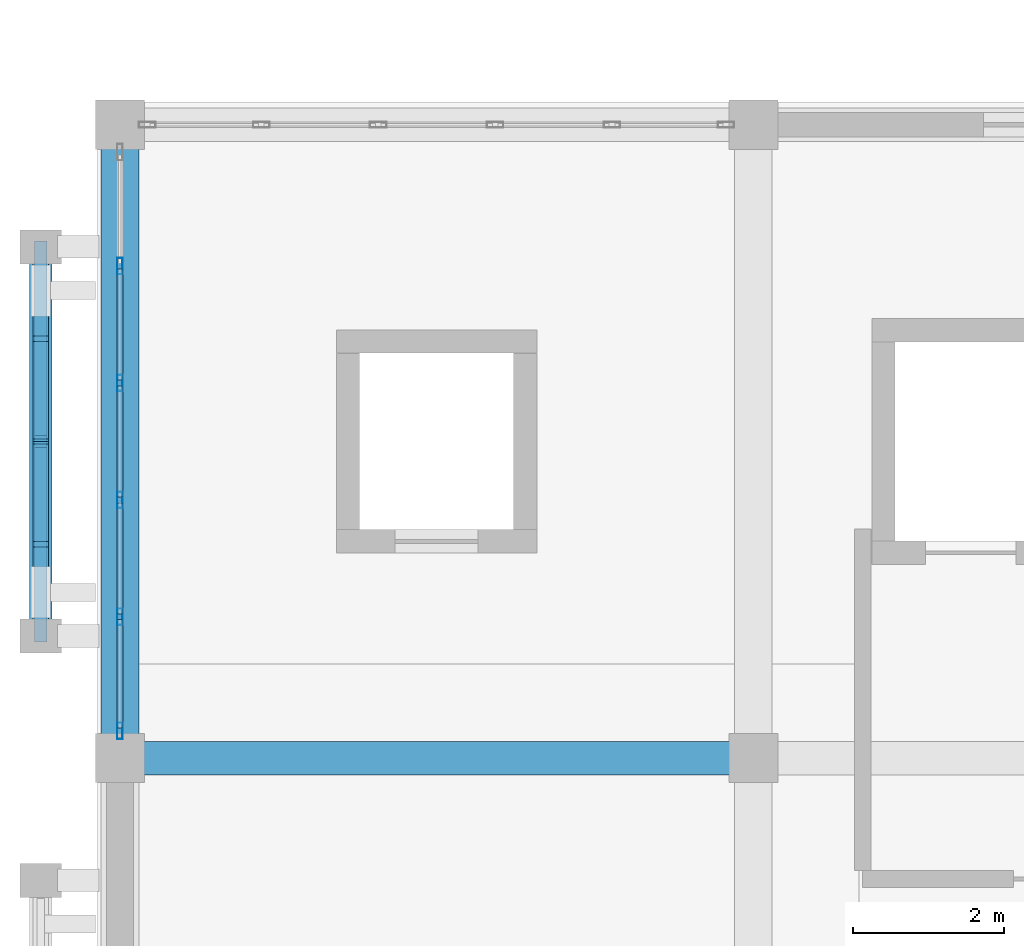
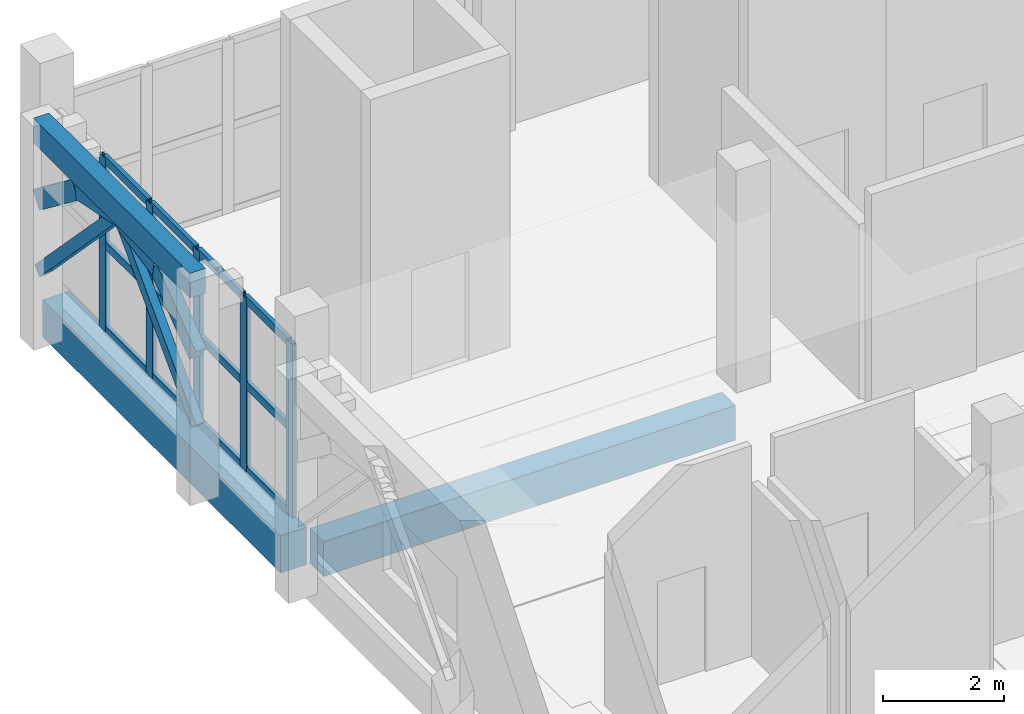
# One storey, part 6 of 16: 23 members, 3 beams, 1 element without a shape of its own.
"""IFC4 building model written with IfcOpenShell, lengths in metres."""

from ifc_helpers import new_model, si_unit, direction, frame, origin, origin_2d, place, context, subcontext, project, spatial, rectangle, hollow_rectangle, extrude, material, layer, layer_set, material_profile, profile_set, type_object, element, aggregate, save


model = new_model("IFC4")

# Units and contexts
model_context = context("Model", 3, precision=1e-05, world=origin(), true_north=direction((0.0, 1.0)))
body_context = subcontext(model_context, "Body", "Model", "MODEL_VIEW")
ifc_project = project(units=[si_unit("LENGTHUNIT", "METRE"), si_unit("AREAUNIT", "SQUARE_METRE"), si_unit("VOLUMEUNIT", "CUBIC_METRE"), si_unit("PLANEANGLEUNIT", "RADIAN"), si_unit("MASSUNIT", "GRAM", prefix="KILO")], contexts=[model_context])

# Site, building, storey
site_placement = place(None, origin())
site = spatial("IfcSite", under=ifc_project, at=site_placement, CompositionType="ELEMENT")
building_placement = place(site_placement, origin())
building = spatial("IfcBuilding", under=site, at=building_placement, Name="Xazarin Passage Department Store", CompositionType="ELEMENT")
storey_placement = place(building_placement, frame((0.0, 0.0, 32.39990234375)))
storey = spatial("IfcBuildingStorey", under=building, at=storey_placement, Name="L07", CompositionType="ELEMENT", Elevation=32.39990234375)

# Curtain wall, members
ifc_material_1 = material(Name="Bronze anodised aluminium", Category="aluminium")
ifc_layer = layer(ifc_material_1, 0.199951171875)
ifc_layer_set = layer_set([ifc_layer], Name="Bronze anodised aluminium")
curtain_wall_type = type_object("IfcCurtainWallType", Name="ARC-CW-VIT2", PredefinedType="NOTDEFINED", material=ifc_layer_set)
curtain_wall_placement = place(storey_placement, origin())
curtain_wall = element("IfcCurtainWall", 1, at=curtain_wall_placement, inside=storey, type_object=curtain_wall_type, Name="L07 V1 Curtain Wall 096", PredefinedType="NOTDEFINED")
ifc_material_profile_1 = material_profile(ifc_material_1, hollow_rectangle(XDim=0.074951171875, YDim=0.219970703125, WallThickness=0.0048828125, at=origin_2d()), Name="ALU 75x220")
ifc_profile_set_1 = profile_set([ifc_material_profile_1], Name="Bronze anodised aluminium")
member_type_1 = type_object("IfcMemberType", Name="ARC-CWM-75x220", PredefinedType="MULLION", material=ifc_profile_set_1)
member_1_placement = place(storey_placement, frame((0.0, 93.5625, 0.0), z_axis=(0.0, 0.0, 1.0), x_axis=(-1.0, 0.0, 0.0)))
member_1 = element("IfcMember", 2, at=member_1_placement, type_object=member_type_1, Name="CW2 mullion 1", PredefinedType="MULLION", context=body_context, shape_type="SweptSolid", body=[
    extrude(hollow_rectangle(XDim=0.074951171875, YDim=0.219970703125, WallThickness=0.0048828125, at=origin_2d()), origin(), (0.0, 0.0, 1.0), 3.489990234375),
])
member_2_placement = place(storey_placement, frame((0.0, 95.074951171875, 0.0), z_axis=(0.0, 0.0, 1.0), x_axis=(-1.0, 0.0, 0.0)))
member_2 = element("IfcMember", 3, at=member_2_placement, type_object=member_type_1, Name="CW2 mullion 2", PredefinedType="MULLION", context=body_context, shape_type="SweptSolid", body=[
    extrude(hollow_rectangle(XDim=0.074951171875, YDim=0.219970703125, WallThickness=0.0048828125, at=origin_2d()), origin(), (0.0, 0.0, 1.0), 3.489990234375),
])
member_3_placement = place(storey_placement, frame((0.0, 96.625, 0.0), z_axis=(0.0, 0.0, 1.0), x_axis=(-1.0, 0.0, 0.0)))
member_3 = element("IfcMember", 4, at=member_3_placement, type_object=member_type_1, Name="CW2 mullion 3", PredefinedType="MULLION", context=body_context, shape_type="SweptSolid", body=[
    extrude(hollow_rectangle(XDim=0.074951171875, YDim=0.219970703125, WallThickness=0.0048828125, at=origin_2d()), origin(), (0.0, 0.0, 1.0), 3.489990234375),
])
member_4_placement = place(storey_placement, frame((0.0, 98.175048828125, 0.0), z_axis=(0.0, 0.0, 1.0), x_axis=(-1.0, 0.0, 0.0)))
member_4 = element("IfcMember", 5, at=member_4_placement, type_object=member_type_1, Name="CW2 mullion 4", PredefinedType="MULLION", context=body_context, shape_type="SweptSolid", body=[
    extrude(hollow_rectangle(XDim=0.074951171875, YDim=0.219970703125, WallThickness=0.0048828125, at=origin_2d()), origin(), (0.0, 0.0, 1.0), 3.489990234375),
])
member_5_placement = place(storey_placement, frame((0.0, 99.72509765625, 0.0), z_axis=(0.0, 0.0, 1.0), x_axis=(-1.0, 0.0, 0.0)))
member_5 = element("IfcMember", 6, at=member_5_placement, type_object=member_type_1, Name="CW2 mullion 5", PredefinedType="MULLION", context=body_context, shape_type="SweptSolid", body=[
    extrude(hollow_rectangle(XDim=0.074951171875, YDim=0.219970703125, WallThickness=0.0048828125, at=origin_2d()), origin(), (0.0, 0.0, 1.0), 3.489990234375),
])
ifc_material_profile_2 = material_profile(ifc_material_1, hollow_rectangle(XDim=0.074951171875, YDim=0.159912109375, WallThickness=0.00439453125, at=origin_2d()), Name="ALU 75x160")
ifc_profile_set_2 = profile_set([ifc_material_profile_2], Name="Bronze anodised aluminium")
member_type_2 = type_object("IfcMemberType", Name="ARC-CWT-75x160", PredefinedType="USERDEFINED", material=ifc_profile_set_2)
member_6_placement = place(storey_placement, frame((0.0, 93.60009765625, 0.03759765625), z_axis=(0.0, 1.0, 0.0), x_axis=(-1.0, 0.0, 0.0)))
member_6 = element("IfcMember", 7, at=member_6_placement, type_object=member_type_2, Name="CW2 transom 1.1", ObjectType="TRANSOM", PredefinedType="USERDEFINED", context=body_context, shape_type="SweptSolid", body=[
    extrude(hollow_rectangle(XDim=0.074951171875, YDim=0.159912109375, WallThickness=0.00439453125, at=origin_2d()), origin(), (0.0, 0.0, 1.0), 1.4375),
])
member_7_placement = place(storey_placement, frame((0.0, 93.60009765625, 1.7451171875), z_axis=(0.0, 1.0, 0.0), x_axis=(-1.0, 0.0, 0.0)))
member_7 = element("IfcMember", 8, at=member_7_placement, type_object=member_type_2, Name="CW2 transom 1.2", ObjectType="TRANSOM", PredefinedType="USERDEFINED", context=body_context, shape_type="SweptSolid", body=[
    extrude(hollow_rectangle(XDim=0.074951171875, YDim=0.159912109375, WallThickness=0.00439453125, at=origin_2d()), origin(), (0.0, 0.0, 1.0), 1.4375),
])
member_8_placement = place(storey_placement, frame((0.0, 93.60009765625, 3.45263671875), z_axis=(0.0, 1.0, 0.0), x_axis=(-1.0, 0.0, 0.0)))
member_8 = element("IfcMember", 9, at=member_8_placement, type_object=member_type_2, Name="CW2 transom 1.3", ObjectType="TRANSOM", PredefinedType="USERDEFINED", context=body_context, shape_type="SweptSolid", body=[
    extrude(hollow_rectangle(XDim=0.074951171875, YDim=0.159912109375, WallThickness=0.00439453125, at=origin_2d()), origin(), (0.0, 0.0, 1.0), 1.4375),
])
member_9_placement = place(storey_placement, frame((0.0, 95.112548828125, 0.03759765625), z_axis=(0.0, 1.0, 0.0), x_axis=(-1.0, 0.0, 0.0)))
member_9 = element("IfcMember", 10, at=member_9_placement, type_object=member_type_2, Name="CW2 transom 2.1", ObjectType="TRANSOM", PredefinedType="USERDEFINED", context=body_context, shape_type="SweptSolid", body=[
    extrude(hollow_rectangle(XDim=0.074951171875, YDim=0.159912109375, WallThickness=0.00439453125, at=origin_2d()), origin(), (0.0, 0.0, 1.0), 1.474853515625),
])
member_10_placement = place(storey_placement, frame((0.0, 95.112548828125, 1.7451171875), z_axis=(0.0, 1.0, 0.0), x_axis=(-1.0, 0.0, 0.0)))
member_10 = element("IfcMember", 11, at=member_10_placement, type_object=member_type_2, Name="CW2 transom 2.2", ObjectType="TRANSOM", PredefinedType="USERDEFINED", context=body_context, shape_type="SweptSolid", body=[
    extrude(hollow_rectangle(XDim=0.074951171875, YDim=0.159912109375, WallThickness=0.00439453125, at=origin_2d()), origin(), (0.0, 0.0, 1.0), 1.474853515625),
])
member_11_placement = place(storey_placement, frame((0.0, 95.112548828125, 3.45263671875), z_axis=(0.0, 1.0, 0.0), x_axis=(-1.0, 0.0, 0.0)))
member_11 = element("IfcMember", 12, at=member_11_placement, type_object=member_type_2, Name="CW2 transom 2.3", ObjectType="TRANSOM", PredefinedType="USERDEFINED", context=body_context, shape_type="SweptSolid", body=[
    extrude(hollow_rectangle(XDim=0.074951171875, YDim=0.159912109375, WallThickness=0.00439453125, at=origin_2d()), origin(), (0.0, 0.0, 1.0), 1.474853515625),
])
member_12_placement = place(storey_placement, frame((0.0, 96.66259765625, 0.03759765625), z_axis=(0.0, 1.0, 0.0), x_axis=(-1.0, 0.0, 0.0)))
member_12 = element("IfcMember", 13, at=member_12_placement, type_object=member_type_2, Name="CW2 transom 3.1", ObjectType="TRANSOM", PredefinedType="USERDEFINED", context=body_context, shape_type="SweptSolid", body=[
    extrude(hollow_rectangle(XDim=0.074951171875, YDim=0.159912109375, WallThickness=0.00439453125, at=origin_2d()), origin(), (0.0, 0.0, 1.0), 1.474853515625),
])
member_13_placement = place(storey_placement, frame((0.0, 96.66259765625, 1.7451171875), z_axis=(0.0, 1.0, 0.0), x_axis=(-1.0, 0.0, 0.0)))
member_13 = element("IfcMember", 14, at=member_13_placement, type_object=member_type_2, Name="CW2 transom 3.2", ObjectType="TRANSOM", PredefinedType="USERDEFINED", context=body_context, shape_type="SweptSolid", body=[
    extrude(hollow_rectangle(XDim=0.074951171875, YDim=0.159912109375, WallThickness=0.00439453125, at=origin_2d()), origin(), (0.0, 0.0, 1.0), 1.474853515625),
])
member_14_placement = place(storey_placement, frame((0.0, 96.66259765625, 3.45263671875), z_axis=(0.0, 1.0, 0.0), x_axis=(-1.0, 0.0, 0.0)))
member_14 = element("IfcMember", 15, at=member_14_placement, type_object=member_type_2, Name="CW2 transom 3.3", ObjectType="TRANSOM", PredefinedType="USERDEFINED", context=body_context, shape_type="SweptSolid", body=[
    extrude(hollow_rectangle(XDim=0.074951171875, YDim=0.159912109375, WallThickness=0.00439453125, at=origin_2d()), origin(), (0.0, 0.0, 1.0), 1.474853515625),
])
member_15_placement = place(storey_placement, frame((0.0, 98.21240234375, 0.03759765625), z_axis=(0.0, 1.0, 0.0), x_axis=(-1.0, 0.0, 0.0)))
member_15 = element("IfcMember", 16, at=member_15_placement, type_object=member_type_2, Name="CW2 transom 4.1", ObjectType="TRANSOM", PredefinedType="USERDEFINED", context=body_context, shape_type="SweptSolid", body=[
    extrude(hollow_rectangle(XDim=0.074951171875, YDim=0.159912109375, WallThickness=0.00439453125, at=origin_2d()), origin(), (0.0, 0.0, 1.0), 1.47509765625),
])
member_16_placement = place(storey_placement, frame((0.0, 98.21240234375, 1.7451171875), z_axis=(0.0, 1.0, 0.0), x_axis=(-1.0, 0.0, 0.0)))
member_16 = element("IfcMember", 17, at=member_16_placement, type_object=member_type_2, Name="CW2 transom 4.2", ObjectType="TRANSOM", PredefinedType="USERDEFINED", context=body_context, shape_type="SweptSolid", body=[
    extrude(hollow_rectangle(XDim=0.074951171875, YDim=0.159912109375, WallThickness=0.00439453125, at=origin_2d()), origin(), (0.0, 0.0, 1.0), 1.47509765625),
])
member_17_placement = place(storey_placement, frame((0.0, 98.21240234375, 3.45263671875), z_axis=(0.0, 1.0, 0.0), x_axis=(-1.0, 0.0, 0.0)))
member_17 = element("IfcMember", 18, at=member_17_placement, type_object=member_type_2, Name="CW2 transom 4.3", ObjectType="TRANSOM", PredefinedType="USERDEFINED", context=body_context, shape_type="SweptSolid", body=[
    extrude(hollow_rectangle(XDim=0.074951171875, YDim=0.159912109375, WallThickness=0.00439453125, at=origin_2d()), origin(), (0.0, 0.0, 1.0), 1.47509765625),
])
aggregate(curtain_wall, [member_1, member_2, member_3, member_4, member_5, member_6, member_7, member_8, member_9, member_10, member_11, member_12, member_13, member_14, member_15, member_16, member_17])

# Beams
ifc_material_2 = material(Name="Concrete C35/45", Category="concrete")
ifc_material_profile_3 = material_profile(ifc_material_2, rectangle(XDim=0.449951171875, YDim=0.699951171875, at=origin_2d()), Name="RC 450x700")
ifc_profile_set_3 = profile_set([ifc_material_profile_3], Name="Concrete C35/45")
beam_type_1 = type_object("IfcBeamType", Name="STR-BM-G450x700", PredefinedType="BEAM", material=ifc_profile_set_3)
beam_1_placement = place(storey_placement, frame((0.280029296875, 93.199951171875, -0.64990234375), z_axis=(1.0, 0.0, 0.0), x_axis=(0.0, 1.0, 0.0)))
element("IfcBeam", 19, at=beam_1_placement, inside=storey, type_object=beam_type_1, Name="L07 Grid Beam N/1-2", PredefinedType="BEAM", context=body_context, shape_type="SweptSolid", body=[
    extrude(rectangle(XDim=0.449951171875, YDim=0.699951171875, at=origin_2d()), origin(), (0.0, 0.0, 1.0), 7.840087890625),
])
ifc_material_profile_4 = material_profile(ifc_material_2, rectangle(XDim=0.300048828125, YDim=0.5, at=origin_2d()), Name="RC 300x500")
ifc_profile_set_4 = profile_set([ifc_material_profile_4], Name="Concrete C35/45")
beam_type_2 = type_object("IfcBeamType", Name="STR-BM-LN300x500", PredefinedType="LINTEL", material=ifc_profile_set_4)
beam_2_placement = place(storey_placement, frame((-1.050048828125, 94.820068359375, 4.25), z_axis=(0.0, 1.0, 0.0), x_axis=(-1.0, 0.0, 0.0)))
element("IfcBeam", 20, at=beam_2_placement, inside=storey, type_object=beam_type_2, Name="L07 V1 Colonnade Spandrel Beam 013", PredefinedType="LINTEL", context=body_context, shape_type="SweptSolid", body=[
    extrude(rectangle(XDim=0.300048828125, YDim=0.5, at=origin_2d()), origin(), (0.0, 0.0, 1.0), 5.159912109375),
])
ifc_material_profile_5 = material_profile(ifc_material_2, rectangle(XDim=0.5, YDim=0.75, at=origin_2d()), Name="RC 500x750")
ifc_profile_set_5 = profile_set([ifc_material_profile_5], Name="Concrete C35/45")
beam_type_3 = type_object("IfcBeamType", Name="STR-BM-SP500x750", PredefinedType="SPANDREL", material=ifc_profile_set_5)
beam_3_placement = place(storey_placement, frame((0.0, 93.47998046875, -0.6748046875), z_axis=(0.0, 1.0, 0.0), x_axis=(-1.0, 0.0, 0.0)))
element("IfcBeam", 21, at=beam_3_placement, inside=storey, type_object=beam_type_3, Name="L07 Grid Beam 1/N-P", PredefinedType="SPANDREL", context=body_context, shape_type="SweptSolid", body=[
    extrude(rectangle(XDim=0.5, YDim=0.75, at=origin_2d()), origin(), (0.0, 0.0, 1.0), 7.840087890625),
])

# Members
ifc_material_3 = material(Name="Concrete C40/50", Category="concrete")
ifc_material_profile_6 = material_profile(ifc_material_3, rectangle(XDim=0.199951171875, YDim=0.360107421875, at=origin_2d()), Name="RC 200x360")
ifc_profile_set_6 = profile_set([ifc_material_profile_6], Name="Concrete C40/50")
member_type_3 = type_object("IfcMemberType", Name="STR-MEM-ARC360", PredefinedType="CHORD", material=ifc_profile_set_6)
member_18_placement = place(storey_placement, frame((-1.050048828125, 94.820068359375, 2.830078125), z_axis=(0.0, 0.79440903847, 0.607383140692), x_axis=(-1.0, 0.0, 0.0)))
element("IfcMember", 22, at=member_18_placement, inside=storey, type_object=member_type_3, Name="L07 V1 Pierced Lattice Curved Arch 013.1", PredefinedType="CHORD", context=body_context, shape_type="SweptSolid", body=[
    extrude(rectangle(XDim=0.199951171875, YDim=0.360107421875, at=origin_2d()), origin(), (0.0, 0.0, 1.0), 1.623779296875),
])
member_19_placement = place(storey_placement, frame((-1.050048828125, 96.110107421875, 3.81640625), z_axis=(0.0, 0.979737268571, 0.2002870055), x_axis=(-1.0, 0.0, 0.0)))
element("IfcMember", 23, at=member_19_placement, inside=storey, type_object=member_type_3, Name="L07 V1 Pierced Lattice Curved Arch 013.2", PredefinedType="CHORD", context=body_context, shape_type="SweptSolid", body=[
    extrude(rectangle(XDim=0.199951171875, YDim=0.360107421875, at=origin_2d()), origin(), (0.0, 0.0, 1.0), 1.31640625),
])
member_20_placement = place(storey_placement, frame((-1.050048828125, 97.39990234375, 4.080078125), z_axis=(0.0, 0.979744705887, -0.200250621188), x_axis=(-1.0, 0.0, 0.0)))
element("IfcMember", 24, at=member_20_placement, inside=storey, type_object=member_type_3, Name="L07 V1 Pierced Lattice Curved Arch 013.3", PredefinedType="CHORD", context=body_context, shape_type="SweptSolid", body=[
    extrude(rectangle(XDim=0.199951171875, YDim=0.360107421875, at=origin_2d()), origin(), (0.0, 0.0, 1.0), 1.316650390625),
])
member_21_placement = place(storey_placement, frame((-1.050048828125, 98.68994140625, 3.81640625), z_axis=(0.0, 0.79440903847, -0.607383140692), x_axis=(-1.0, 0.0, 0.0)))
element("IfcMember", 25, at=member_21_placement, inside=storey, type_object=member_type_3, Name="L07 V1 Pierced Lattice Curved Arch 013.4", PredefinedType="CHORD", context=body_context, shape_type="SweptSolid", body=[
    extrude(rectangle(XDim=0.199951171875, YDim=0.360107421875, at=origin_2d()), origin(), (0.0, 0.0, 1.0), 1.623779296875),
])
ifc_material_profile_7 = material_profile(ifc_material_3, rectangle(XDim=0.159912109375, YDim=0.219970703125, at=origin_2d()), Name="RC 160x220")
ifc_profile_set_7 = profile_set([ifc_material_profile_7], Name="Concrete C40/50")
member_type_4 = type_object("IfcMemberType", Name="STR-MEM-TRC220", PredefinedType="CHORD", material=ifc_profile_set_7)
for number, where, z_axis, x_axis, name in (
    (26, (-1.050048828125, 97.39990234375, 4.080078125), (0.0, -0.693524382622, -0.72043315492), (1.0, 0.0, 0.0), "L07 V1 Upper Lattice Tracery Arch 013L"),
    (27, (-1.050048828125, 97.39990234375, 4.080078125), (0.0, 0.693558444435, -0.720400363793), (-1.0, 0.0, 0.0), "L07 V1 Upper Lattice Tracery Arch 013R"),
):
    element("IfcMember", number, at=place(storey_placement, frame(where, z_axis=z_axis, x_axis=x_axis)), inside=storey, type_object=member_type_4, Name=name, PredefinedType="CHORD", context=body_context, shape_type="SweptSolid", body=[
        extrude(rectangle(XDim=0.159912109375, YDim=0.219970703125, at=origin_2d()), origin(), (0.0, 0.0, 1.0), 3.719970703125),
    ])

save(model, "model.ifc")
